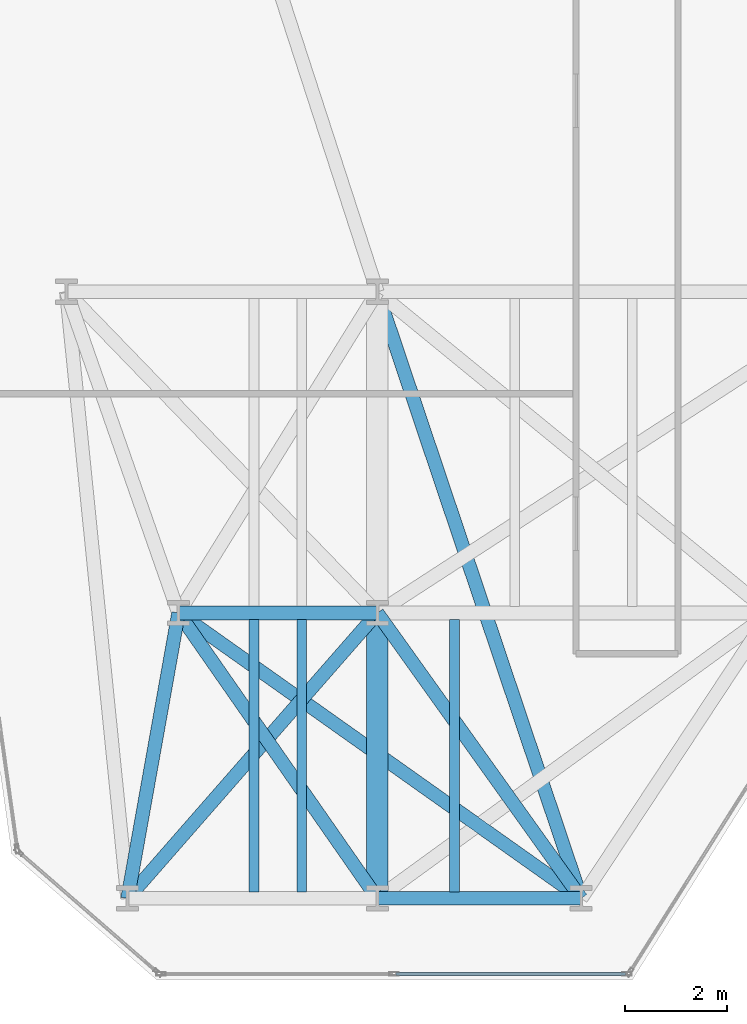
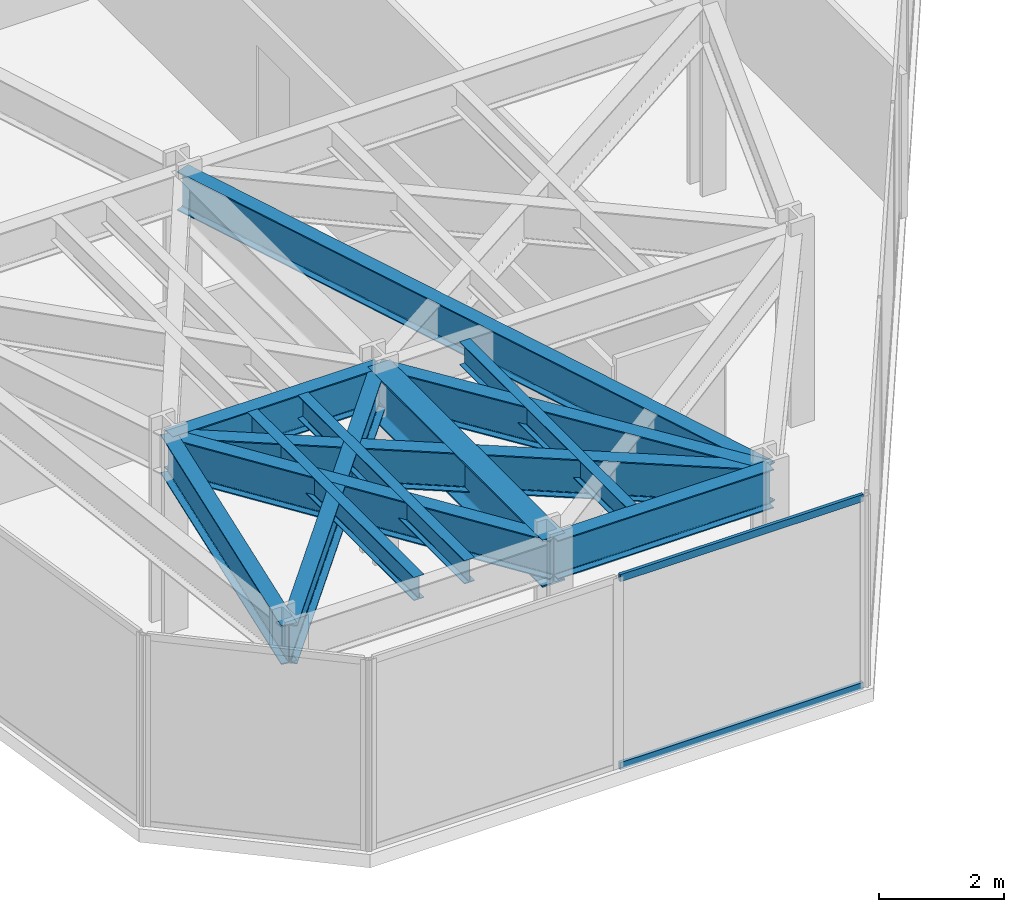
# One storey, part 3 of 25: 12 beams, 2 members, 1 element without a shape of its own.
"""IFC4 building model written with IfcOpenShell, lengths in metres."""

from ifc_helpers import new_model, si_unit, direction, frame, origin, origin_2d, place, context, subcontext, project, spatial, hollow_rectangle, i_section, extrude, material, layer, layer_set, material_profile, profile_set, type_object, element, aggregate, save


model = new_model("IFC4")

# Units and contexts
model_context = context("Model", 3, precision=1e-05, world=origin(), true_north=direction((0.0, 1.0)))
body_context = subcontext(model_context, "Body", "Model", "MODEL_VIEW")
ifc_project = project(units=[si_unit("LENGTHUNIT", "METRE"), si_unit("AREAUNIT", "SQUARE_METRE"), si_unit("VOLUMEUNIT", "CUBIC_METRE"), si_unit("PLANEANGLEUNIT", "RADIAN"), si_unit("MASSUNIT", "GRAM", prefix="KILO")], contexts=[model_context])

# Site, building, storey
site_placement = place(None, origin())
site = spatial("IfcSite", under=ifc_project, at=site_placement, CompositionType="ELEMENT")
building_placement = place(site_placement, origin())
building = spatial("IfcBuilding", under=site, at=building_placement, Name="Kravanh Interchange Tower", CompositionType="ELEMENT")
storey_placement = place(building_placement, frame((0.0, 0.0, 73.5)))
storey = spatial("IfcBuildingStorey", under=building, at=storey_placement, Name="L17", CompositionType="ELEMENT", Elevation=73.5)

# Curtain wall, members
ifc_material_1 = material(Name="Anodised Bronze Aluminium", Category="aluminium")
ifc_layer = layer(ifc_material_1, 0.179931640625)
ifc_layer_set = layer_set([ifc_layer], Name="Unitised Curtain Wall System CW-Z1 Lower Office")
curtain_wall_type = type_object("IfcCurtainWallType", Name="Unitised Curtain Wall System CW-Z1 Lower Office", PredefinedType="NOTDEFINED", material=ifc_layer_set)
curtain_wall_placement = place(storey_placement, origin())
curtain_wall = element("IfcCurtainWall", 1, at=curtain_wall_placement, inside=storey, type_object=curtain_wall_type, Name="L17 Unitised Curtain Wall CW-L17-06", PredefinedType="NOTDEFINED")
ifc_material_2 = material(Name="Anodised Bronze Aluminium", Category="aluminium")
ifc_material_profile_1 = material_profile(ifc_material_2, hollow_rectangle(XDim=0.06005859375, YDim=0.139892578125, WallThickness=0.00390625, at=origin_2d()), Name="ALU60X140X4")
ifc_profile_set_1 = profile_set([ifc_material_profile_1], Name="Anodised Bronze Aluminium")
member_type = type_object("IfcMemberType", Name="Curtain Wall Transom ALU60X140X4 Bronze", PredefinedType="USERDEFINED", material=ifc_profile_set_1)
member_1_placement = place(storey_placement, frame((22.36376953125, 1.1201171875, 0.030029296875), z_axis=(-1.0, 0.0, 0.0), x_axis=(0.0, -1.0, 0.0)))
member_1 = element("IfcMember", 2, at=member_1_placement, type_object=member_type, Name="CW-Z1 transom 1.1", ObjectType="TRANSOM", PredefinedType="USERDEFINED", context=body_context, shape_type="SweptSolid", body=[
    extrude(hollow_rectangle(XDim=0.06005859375, YDim=0.139892578125, WallThickness=0.00390625, at=origin_2d()), origin(), (0.0, 0.0, 1.0), 4.50146484375),
])
member_2_placement = place(storey_placement, frame((22.36376953125, 1.1201171875, 3.7099609375), z_axis=(-1.0, 0.0, 0.0), x_axis=(0.0, -1.0, 0.0)))
member_2 = element("IfcMember", 3, at=member_2_placement, type_object=member_type, Name="CW-Z1 transom 1.2", ObjectType="TRANSOM", PredefinedType="USERDEFINED", context=body_context, shape_type="SweptSolid", body=[
    extrude(hollow_rectangle(XDim=0.06005859375, YDim=0.139892578125, WallThickness=0.00390625, at=origin_2d()), origin(), (0.0, 0.0, 1.0), 4.50146484375),
])
aggregate(curtain_wall, [member_1, member_2])

# Beams
ifc_material_3 = material(Name="Structural Steel S355", Category="steel")
ifc_material_profile_2 = material_profile(ifc_material_3, i_section(OverallWidth=0.41796875, OverallDepth=0.927001953125, WebThickness=0.019287109375, FlangeThickness=0.031982421875, FilletRadius=0.028076171875, at=origin_2d()), Name="W36X231")
ifc_profile_set_2 = profile_set([ifc_material_profile_2], Name="Structural Steel S355")
beam_type_1 = type_object("IfcBeamType", Name="Floor Beam W36X231 Structural Steel S355", PredefinedType="BEAM", material=ifc_profile_set_2)
beam_1_placement = place(storey_placement, frame((17.5, 2.60009765625, 3.276611328125), z_axis=(0.0, 1.0, 0.0), x_axis=(-1.0, 0.0, 0.0)))
element("IfcBeam", 4, at=beam_1_placement, inside=storey, type_object=beam_type_1, Name="L17 Primary Floor Girder 103", PredefinedType="BEAM", context=body_context, shape_type="SweptSolid", body=[
    extrude(i_section(OverallWidth=0.41796875, OverallDepth=0.927001953125, WebThickness=0.019287109375, FlangeThickness=0.031982421875, FilletRadius=0.028076171875, at=origin_2d()), origin(), (0.0, 0.0, 1.0), 5.599853515625),
])
ifc_material_4 = material(Name="Structural Steel S355", Category="steel")
ifc_material_profile_3 = material_profile(ifc_material_4, i_section(OverallWidth=0.18994140625, OverallDepth=0.45703125, WebThickness=0.009033203125, FlangeThickness=0.014404296875, FilletRadius=0.01806640625, at=origin_2d()), Name="W18X50")
ifc_profile_set_3 = profile_set([ifc_material_profile_3], Name="Structural Steel S355")
beam_type_2 = type_object("IfcBeamType", Name="Floor Joist W18X50 Structural Steel S355", PredefinedType="JOIST", material=ifc_profile_set_3)
for number, where, z_axis, x_axis, name in (
    (5, (15.08203125, 2.728515625, 3.511474609375), (0.0, 1.0, 0.0), (-1.0, 0.0, 0.0), "L17 Secondary Floor Joist 1"),
    (6, (16.01806640625, 2.728515625, 3.511474609375), (0.0, 1.0, 0.0), (-1.0, 0.0, 0.0), "L17 Secondary Floor Joist 2"),
    (7, (19.013916015625, 2.728515625, 3.511474609375), (0.0, 1.0, 0.0), (-1.0, 0.0, 0.0), "L17 Secondary Floor Joist 3"),
):
    element("IfcBeam", number, at=place(storey_placement, frame(where, z_axis=z_axis, x_axis=x_axis)), inside=storey, type_object=beam_type_2, Name=name, PredefinedType="JOIST", context=body_context, shape_type="SweptSolid", body=[
        extrude(i_section(OverallWidth=0.18994140625, OverallDepth=0.45703125, WebThickness=0.009033203125, FlangeThickness=0.014404296875, FilletRadius=0.01806640625, at=origin_2d()), origin(), (0.0, 0.0, 1.0), 5.343017578125),
    ])
ifc_material_5 = material(Name="Structural Steel S355", Category="steel")
ifc_material_profile_4 = material_profile(ifc_material_5, i_section(OverallWidth=0.26708984375, OverallDepth=0.761962890625, WebThickness=0.014404296875, FlangeThickness=0.021484375, FilletRadius=0.02490234375, at=origin_2d()), Name="W30X116")
ifc_profile_set_4 = profile_set([ifc_material_profile_4], Name="Structural Steel S355")
beam_type_3 = type_object("IfcBeamType", Name="Floor Spandrel W30X116 Structural Steel S355", PredefinedType="SPANDREL", material=ifc_profile_set_4)
beam_2_placement = place(storey_placement, frame((12.60009765625, 2.60009765625, 3.35888671875), z_axis=(0.175795094814, 0.984426779725, 0.0), x_axis=(-0.984426779725, 0.175795094814, 0.0)))
element("IfcBeam", 8, at=beam_2_placement, inside=storey, type_object=beam_type_3, Name="L17 Perimeter Spandrel 39", PredefinedType="SPANDREL", context=body_context, shape_type="SweptSolid", body=[
    extrude(i_section(OverallWidth=0.26708984375, OverallDepth=0.761962890625, WebThickness=0.014404296875, FlangeThickness=0.021484375, FilletRadius=0.02490234375, at=origin_2d()), origin(), (0.0, 0.0, 1.0), 5.6884765625),
])
beam_3_placement = place(storey_placement, frame((12.60009765625, 2.60009765625, 3.35888671875), z_axis=(0.658506930733, 0.752574662194, 0.0), x_axis=(-0.752574662194, 0.658506930733, 0.0)))
element("IfcBeam", 9, at=beam_3_placement, inside=storey, type_object=beam_type_3, Name="L17 Perimeter Spandrel 40", PredefinedType="SPANDREL", context=body_context, shape_type="SweptSolid", body=[
    extrude(i_section(OverallWidth=0.26708984375, OverallDepth=0.761962890625, WebThickness=0.014404296875, FlangeThickness=0.021484375, FilletRadius=0.02490234375, at=origin_2d()), origin(), (0.0, 0.0, 1.0), 7.44091796875),
])
beam_4_placement = place(storey_placement, frame((17.5, 2.60009765625, 3.35888671875), z_axis=(1.0, 0.0, 0.0), x_axis=(0.0, 1.0, 0.0)))
element("IfcBeam", 10, at=beam_4_placement, inside=storey, type_object=beam_type_3, Name="L17 Perimeter Spandrel 102", PredefinedType="SPANDREL", context=body_context, shape_type="SweptSolid", body=[
    extrude(i_section(OverallWidth=0.26708984375, OverallDepth=0.761962890625, WebThickness=0.014404296875, FlangeThickness=0.021484375, FilletRadius=0.02490234375, at=origin_2d()), origin(), (0.0, 0.0, 1.0), 4.0),
])
beam_5_placement = place(storey_placement, frame((17.5, 2.60009765625, 3.35888671875), z_axis=(-0.571494183969, 0.820606116045, 0.0), x_axis=(-0.820606116045, -0.571494183969, 0.0)))
element("IfcBeam", 11, at=beam_5_placement, inside=storey, type_object=beam_type_3, Name="L17 Perimeter Spandrel 104", PredefinedType="SPANDREL", context=body_context, shape_type="SweptSolid", body=[
    extrude(i_section(OverallWidth=0.26708984375, OverallDepth=0.761962890625, WebThickness=0.014404296875, FlangeThickness=0.021484375, FilletRadius=0.02490234375, at=origin_2d()), origin(), (0.0, 0.0, 1.0), 6.823974609375),
])
beam_6_placement = place(storey_placement, frame((21.5, 2.60009765625, 3.35888671875), z_axis=(-0.581248261352, 0.813726279946, 0.0), x_axis=(-0.813726279946, -0.581248261352, 0.0)))
element("IfcBeam", 12, at=beam_6_placement, inside=storey, type_object=beam_type_3, Name="L17 Perimeter Spandrel 122", PredefinedType="SPANDREL", context=body_context, shape_type="SweptSolid", body=[
    extrude(i_section(OverallWidth=0.26708984375, OverallDepth=0.761962890625, WebThickness=0.014404296875, FlangeThickness=0.021484375, FilletRadius=0.02490234375, at=origin_2d()), origin(), (0.0, 0.0, 1.0), 6.8818359375),
])
beam_7_placement = place(storey_placement, frame((21.5, 2.60009765625, 3.35888671875), z_axis=(-0.815825239527, 0.578298520274, 0.0), x_axis=(-0.578298520274, -0.815825239527, 0.0)))
element("IfcBeam", 13, at=beam_7_placement, inside=storey, type_object=beam_type_3, Name="L17 Perimeter Spandrel 123", PredefinedType="SPANDREL", context=body_context, shape_type="SweptSolid", body=[
    extrude(i_section(OverallWidth=0.26708984375, OverallDepth=0.761962890625, WebThickness=0.014404296875, FlangeThickness=0.021484375, FilletRadius=0.02490234375, at=origin_2d()), origin(), (0.0, 0.0, 1.0), 9.683349609375),
])
beam_8_placement = place(storey_placement, frame((21.5, 2.60009765625, 3.35888671875), z_axis=(-0.318618734989, 0.947882957814, 0.0), x_axis=(-0.947882957814, -0.318618734989, 0.0)))
element("IfcBeam", 14, at=beam_8_placement, inside=storey, type_object=beam_type_3, Name="L17 Perimeter Spandrel 124", PredefinedType="SPANDREL", context=body_context, shape_type="SweptSolid", body=[
    extrude(i_section(OverallWidth=0.26708984375, OverallDepth=0.761962890625, WebThickness=0.014404296875, FlangeThickness=0.021484375, FilletRadius=0.02490234375, at=origin_2d()), origin(), (0.0, 0.0, 1.0), 12.55419921875),
])
beam_9_placement = place(storey_placement, frame((13.60009765625, 8.199951171875, 3.35888671875), z_axis=(1.0, 0.0, 0.0), x_axis=(0.0, 1.0, 0.0)))
element("IfcBeam", 15, at=beam_9_placement, inside=storey, type_object=beam_type_3, Name="L17 Perimeter Spandrel 133", PredefinedType="SPANDREL", context=body_context, shape_type="SweptSolid", body=[
    extrude(i_section(OverallWidth=0.26708984375, OverallDepth=0.761962890625, WebThickness=0.014404296875, FlangeThickness=0.021484375, FilletRadius=0.02490234375, at=origin_2d()), origin(), (0.0, 0.0, 1.0), 3.89990234375),
])

save(model, "model.ifc")
